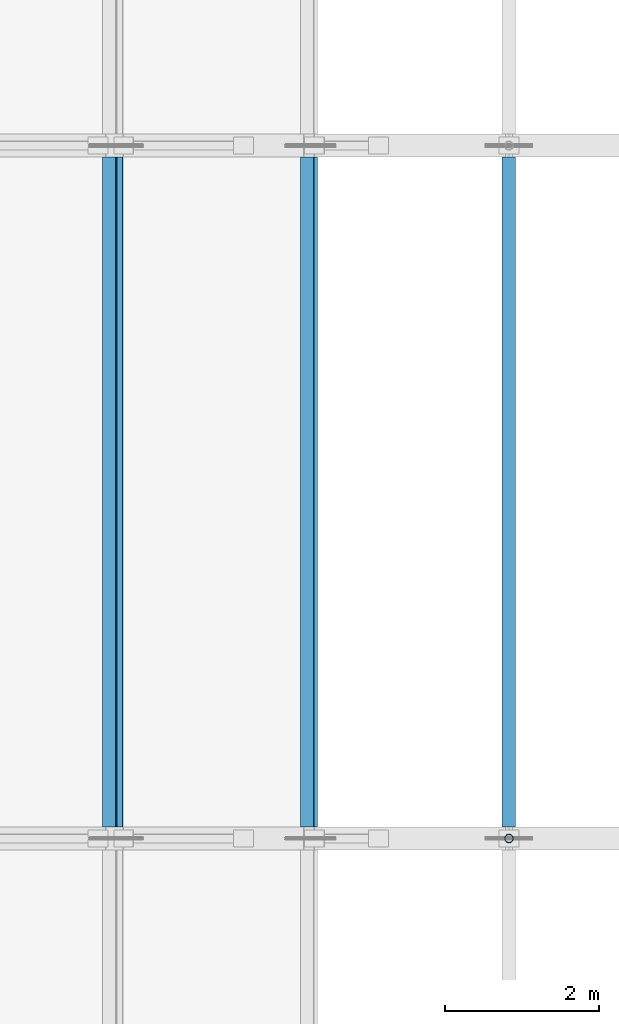
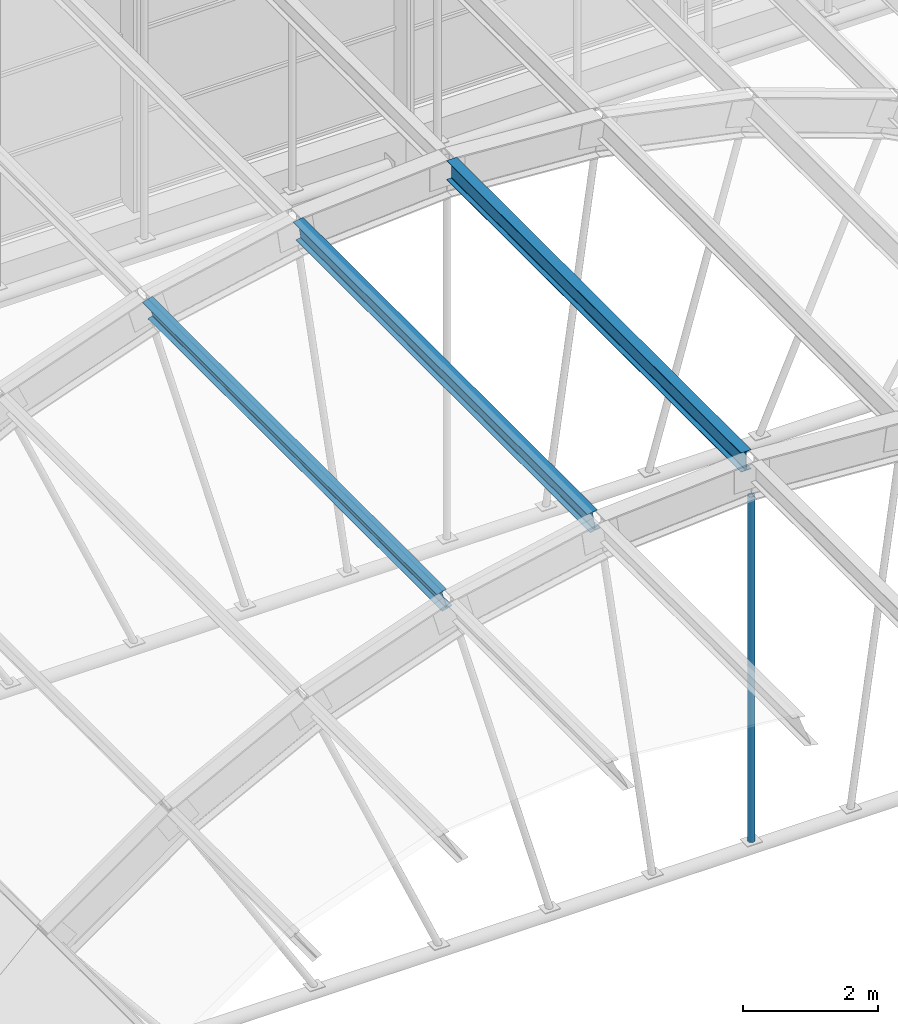
# One storey, part 11 of 43: 4 members.
"""IFC4 building model written with IfcOpenShell, lengths in metres."""

from ifc_helpers import new_model, si_unit, direction, frame, origin, origin_2d, place, context, subcontext, project, spatial, hollow_circle, i_section, extrude, material, material_profile, profile_set, type_object, element, save


model = new_model("IFC4")

# Units and contexts
model_context = context("Model", 3, precision=1e-05, world=origin(), true_north=direction((0.0, 1.0)))
body_context = subcontext(model_context, "Body", "Model", "MODEL_VIEW")
ifc_project = project(units=[si_unit("LENGTHUNIT", "METRE"), si_unit("AREAUNIT", "SQUARE_METRE"), si_unit("VOLUMEUNIT", "CUBIC_METRE"), si_unit("PLANEANGLEUNIT", "RADIAN"), si_unit("MASSUNIT", "GRAM", prefix="KILO")], contexts=[model_context])

# Site, building, storey
site_placement = place(None, origin())
site = spatial("IfcSite", under=ifc_project, at=site_placement, CompositionType="ELEMENT")
building_placement = place(site_placement, origin())
building = spatial("IfcBuilding", under=site, at=building_placement, Name="Guidao Yard Department Store", CompositionType="ELEMENT")
storey_placement = place(building_placement, frame((0.0, 0.0, 28.5)))
storey = spatial("IfcBuildingStorey", under=building, at=storey_placement, Name="L06", CompositionType="ELEMENT", Elevation=28.5)

# Members
ifc_material_1 = material(Name="Steel Q355B", Category="steel")
ifc_material_profile_1 = material_profile(ifc_material_1, hollow_circle(Radius=0.056884765625, WallThickness=0.006103515625, at=origin_2d()), Name="CHS 114x6")
ifc_profile_set_1 = profile_set([ifc_material_profile_1], Name="Steel Q355B")
member_type_1 = type_object("IfcMemberType", Name="CHS 114x6", PredefinedType="BRACE", material=ifc_profile_set_1)
member_placement = place(storey_placement, frame((31.5, 72.0, -0.33447265625), z_axis=(0.0, 0.0, 1.0), x_axis=(1.0, 0.0, 0.0)))
element("IfcMember", 1, at=member_placement, inside=storey, type_object=member_type_1, Name="Roof web strut A03-06", PredefinedType="BRACE", context=body_context, shape_type="SweptSolid", body=[
    extrude(hollow_circle(Radius=0.056884765625, WallThickness=0.006103515625, at=origin_2d()), origin(), (0.0, 0.0, 1.0), 6.238037109375),
])
ifc_material_2 = material(Name="Steel Q355B", Category="steel")
ifc_material_profile_2 = material_profile(ifc_material_2, i_section(OverallWidth=0.175048828125, OverallDepth=0.35009765625, WebThickness=0.007080078125, FlangeThickness=0.010986328125, FilletRadius=0.012939453125, at=origin_2d()), Name="HN 350x175x7x11")
ifc_profile_set_2 = profile_set([ifc_material_profile_2], Name="Steel Q355B")
member_type_2 = type_object("IfcMemberType", Name="HN 350x175x7x11", PredefinedType="PURLIN", material=ifc_profile_set_2)
for number, where, z_axis, x_axis, name in (
    (2, (26.353759765625, 72.14990234375, 5.71533203125), (0.0, 1.0, 0.0), (-0.962711909047, 0.0, -0.270528704906), "Roof purlin A03-04"),
    (3, (28.901611328125, 72.14990234375, 6.24609375), (0.0, 1.0, 0.0), (-0.990647128966, 0.0, -0.13644876647), "Roof purlin A03-05"),
    (4, (31.5, 72.14990234375, 6.424072265625), (0.0, 1.0, 0.0), (-1.0, 0.0, 0.0), "Roof purlin A03-06"),
):
    element("IfcMember", number, at=place(storey_placement, frame(where, z_axis=z_axis, x_axis=x_axis)), inside=storey, type_object=member_type_2, Name=name, PredefinedType="PURLIN", context=body_context, shape_type="SweptSolid", body=[
        extrude(i_section(OverallWidth=0.175048828125, OverallDepth=0.35009765625, WebThickness=0.007080078125, FlangeThickness=0.010986328125, FilletRadius=0.012939453125, at=origin_2d()), origin(), (0.0, 0.0, 1.0), 8.7001953125),
    ])

save(model, "model.ifc")
